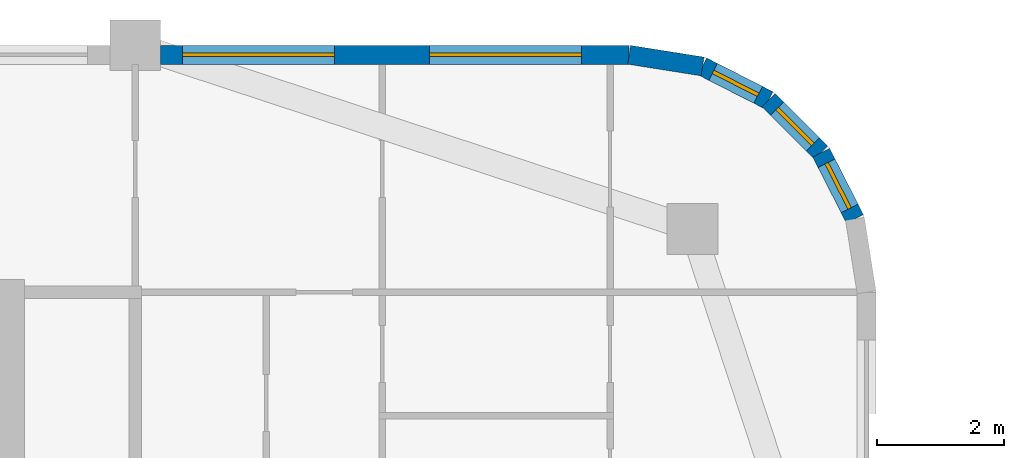
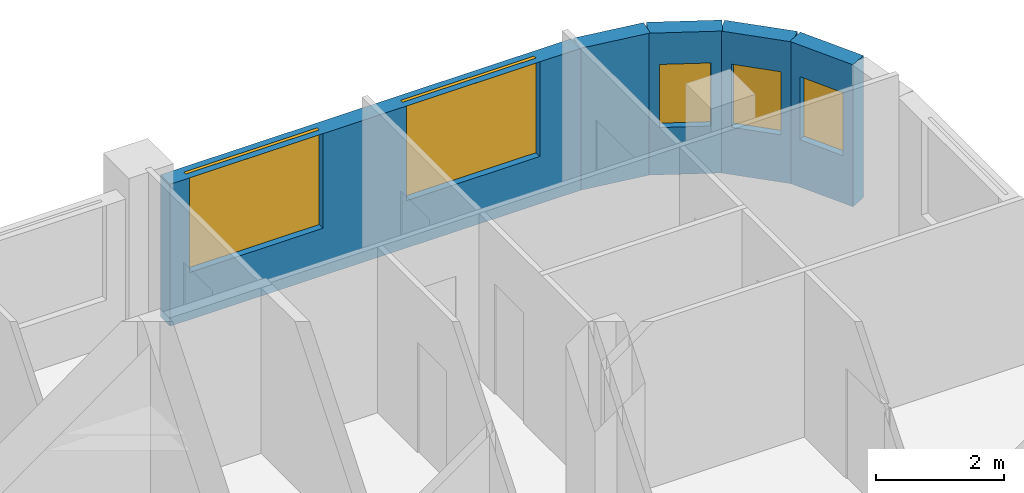
# One storey, part 12 of 16: 5 walls, 5 windows, 5 openings.
"""IFC4 building model written with IfcOpenShell, lengths in metres."""

from ifc_helpers import new_model, si_unit, direction, frame, frame_2d, origin, place, context, subcontext, project, spatial, rectangle, extrude, material, layer, layer_set, type_object, element, fill, save


model = new_model("IFC4")

# Units and contexts
model_context = context("Model", 3, precision=1e-05, world=origin(), true_north=direction((0.0, 1.0)))
body_context = subcontext(model_context, "Body", "Model", "MODEL_VIEW")
ifc_project = project(units=[si_unit("LENGTHUNIT", "METRE"), si_unit("AREAUNIT", "SQUARE_METRE"), si_unit("VOLUMEUNIT", "CUBIC_METRE"), si_unit("PLANEANGLEUNIT", "RADIAN"), si_unit("MASSUNIT", "GRAM", prefix="KILO")], contexts=[model_context])

# Site, building, storey
site_placement = place(None, origin())
site = spatial("IfcSite", under=ifc_project, at=site_placement, CompositionType="ELEMENT")
building_placement = place(site_placement, origin())
building = spatial("IfcBuilding", under=site, at=building_placement, Name="Ludao Terraces", CompositionType="ELEMENT")
storey_placement = place(building_placement, frame((0.0, 0.0, 204.10009765625)))
storey = spatial("IfcBuildingStorey", under=building, at=storey_placement, Name="L55", CompositionType="ELEMENT", Elevation=204.10009765625)

# Wall, openings, windows
ifc_material_1 = material(Name="Granite cladding", Category="masonry")
ifc_layer_1 = layer(ifc_material_1, 0.0400390625, Category="stone")
ifc_material_2 = material(Name="Mineral wool")
ifc_layer_2 = layer(ifc_material_2, 0.06005859375)
ifc_material_3 = material(Name="Concrete C40", Category="concrete")
ifc_layer_3 = layer(ifc_material_3, 0.199951171875, Category="concrete")
ifc_layer_set_1 = layer_set([ifc_layer_1, ifc_layer_2, ifc_layer_3], Name="ENV Stone-clad wall 300")
wall_type = type_object("IfcWallType", Name="ENV Stone-clad wall 300", PredefinedType="SOLIDWALL", material=ifc_layer_set_1)
wall_1_placement = place(storey_placement, frame((97.10009765625, 88.25, 0.0), z_axis=(0.0, 0.0, 1.0), x_axis=(1.0, 0.0, 0.0)))
wall_1 = element("IfcWall", 1, at=wall_1_placement, inside=storey, type_object=wall_type, Name="EW-L55-N3", PredefinedType="SOLIDWALL", context=body_context, shape_type="SweptSolid", body=[
    extrude(rectangle(XDim=7.39990234375, YDim=0.300048828125, at=frame_2d((3.699951171875, 0.0))), origin(), (0.0, 0.0, 1.0), 2.699951171875),
])
opening_1_placement = place(wall_1_placement, frame((0.35009765625, 0.0, 0.89990234375)))
opening_1 = element("IfcOpeningElement", 2, at=opening_1_placement, cuts=wall_1, Name="Opening W1", PredefinedType="OPENING", context=body_context, shape_type="SweptSolid", body=[
    extrude(rectangle(XDim=2.39990234375, YDim=1.800048828125, at=frame_2d((1.199951171875, 0.89990234375))), frame((0.0, 0.16015625, 0.0), z_axis=(0.0, -1.0, 0.0), x_axis=(1.0, 0.0, 0.0)), (0.0, 0.0, 1.0), 0.320068359375),
])
opening_2_placement = place(wall_1_placement, frame((4.25, 0.0, 0.89990234375)))
opening_2 = element("IfcOpeningElement", 3, at=opening_2_placement, cuts=wall_1, Name="Opening W1", PredefinedType="OPENING", context=body_context, shape_type="SweptSolid", body=[
    extrude(rectangle(XDim=2.39990234375, YDim=1.800048828125, at=frame_2d((1.199951171875, 0.89990234375))), frame((0.0, 0.16015625, 0.0), z_axis=(0.0, -1.0, 0.0), x_axis=(1.0, 0.0, 0.0)), (0.0, 0.0, 1.0), 0.320068359375),
])
ifc_material_4 = material(Name="Clear glass in aluminium frame", Category="aluminium")
ifc_layer_4 = layer(ifc_material_4, 0.06005859375)
ifc_layer_set_2 = layer_set([ifc_layer_4], Name="ENV Window W1 2400x1800")
window_type_1 = type_object("IfcWindowType", Name="ENV Window W1 2400x1800", PartitioningType="DOUBLE_PANEL_VERTICAL", PredefinedType="WINDOW", material=ifc_layer_set_2)
window_1_placement = place(opening_1_placement, origin())
window_1 = element("IfcWindow", 4, at=window_1_placement, inside=storey, type_object=window_type_1, Name="W-L55-N3-1", OverallHeight=1.800048828125, OverallWidth=2.39990234375, PartitioningType="DOUBLE_PANEL_VERTICAL", PredefinedType="WINDOW", context=body_context, shape_type="SweptSolid", body=[
    extrude(rectangle(XDim=2.39990234375, YDim=1.800048828125, at=frame_2d((1.199951171875, 0.89990234375))), frame((0.0, 0.030029296875, 0.0), z_axis=(0.0, -1.0, 0.0), x_axis=(1.0, 0.0, 0.0)), (0.0, 0.0, 1.0), 0.06005859375),
])
fill(opening_1, window_1)
window_2_placement = place(opening_2_placement, origin())
window_2 = element("IfcWindow", 5, at=window_2_placement, inside=storey, type_object=window_type_1, Name="W-L55-N3-2", OverallHeight=1.800048828125, OverallWidth=2.39990234375, PartitioningType="DOUBLE_PANEL_VERTICAL", PredefinedType="WINDOW", context=body_context, shape_type="SweptSolid", body=[
    extrude(rectangle(XDim=2.39990234375, YDim=1.800048828125, at=frame_2d((1.199951171875, 0.89990234375))), frame((0.0, 0.030029296875, 0.0), z_axis=(0.0, -1.0, 0.0), x_axis=(1.0, 0.0, 0.0)), (0.0, 0.0, 1.0), 0.06005859375),
])
fill(opening_2, window_2)

# Wall, opening, window
wall_2_placement = place(storey_placement, frame((108.06640625, 85.65869140625, 0.0), z_axis=(0.0, 0.0, 1.0), x_axis=(-0.454025524128, 0.890988677504, 0.0)))
wall_2 = element("IfcWall", 6, at=wall_2_placement, inside=storey, type_object=wall_type, Name="EW-L55-NE2", PredefinedType="SOLIDWALL", context=body_context, shape_type="SweptSolid", body=[
    extrude(rectangle(XDim=1.17333984375, YDim=0.300048828125, at=frame_2d((0.586669921875, 0.0))), origin(), (0.0, 0.0, 1.0), 2.699951171875),
])
opening_3_placement = place(wall_2_placement, frame((0.1865234375, 0.0, 0.89990234375)))
opening_3 = element("IfcOpeningElement", 7, at=opening_3_placement, cuts=wall_2, Name="Opening W3", PredefinedType="OPENING", context=body_context, shape_type="SweptSolid", body=[
    extrude(rectangle(XDim=0.800048828125, YDim=1.199951171875, at=frame_2d((0.39990234375, 0.60009765625))), frame((0.0, 0.16015625, 0.0), z_axis=(0.0, -1.0, 0.0), x_axis=(1.0, 0.0, 0.0)), (0.0, 0.0, 1.0), 0.320068359375),
])
ifc_layer_5 = layer(ifc_material_4, 0.06005859375)
ifc_layer_set_3 = layer_set([ifc_layer_5], Name="ENV Window W3 800x1200")
window_type_2 = type_object("IfcWindowType", Name="ENV Window W3 800x1200", PartitioningType="SINGLE_PANEL", PredefinedType="WINDOW", material=ifc_layer_set_3)
window_3_placement = place(opening_3_placement, origin())
window_3 = element("IfcWindow", 8, at=window_3_placement, inside=storey, type_object=window_type_2, Name="W-L55-NE2", OverallHeight=1.199951171875, OverallWidth=0.800048828125, PartitioningType="SINGLE_PANEL", PredefinedType="WINDOW", context=body_context, shape_type="SweptSolid", body=[
    extrude(rectangle(XDim=0.800048828125, YDim=1.199951171875, at=frame_2d((0.39990234375, 0.60009765625))), frame((0.0, 0.030029296875, 0.0), z_axis=(0.0, -1.0, 0.0), x_axis=(1.0, 0.0, 0.0)), (0.0, 0.0, 1.0), 0.06005859375),
])
fill(opening_3, window_3)

wall_3_placement = place(storey_placement, frame((107.53369140625, 86.7041015625, 0.0), z_axis=(0.0, 0.0, 1.0), x_axis=(-0.707106781187, 0.707106781187, 0.0)))
wall_3 = element("IfcWall", 9, at=wall_3_placement, inside=storey, type_object=wall_type, Name="EW-L55-NE3", PredefinedType="SOLIDWALL", context=body_context, shape_type="SweptSolid", body=[
    extrude(rectangle(XDim=1.173095703125, YDim=0.300048828125, at=frame_2d((0.58642578125, 0.0))), origin(), (0.0, 0.0, 1.0), 2.699951171875),
])
opening_4_placement = place(wall_3_placement, frame((0.1865234375, 0.0, 0.89990234375)))
opening_4 = element("IfcOpeningElement", 10, at=opening_4_placement, cuts=wall_3, Name="Opening W3", PredefinedType="OPENING", context=body_context, shape_type="SweptSolid", body=[
    extrude(rectangle(XDim=0.800048828125, YDim=1.199951171875, at=frame_2d((0.39990234375, 0.60009765625))), frame((0.0, 0.16015625, 0.0), z_axis=(0.0, -1.0, 0.0), x_axis=(1.0, 0.0, 0.0)), (0.0, 0.0, 1.0), 0.320068359375),
])
window_4_placement = place(opening_4_placement, origin())
window_4 = element("IfcWindow", 11, at=window_4_placement, inside=storey, type_object=window_type_2, Name="W-L55-NE3", OverallHeight=1.199951171875, OverallWidth=0.800048828125, PartitioningType="SINGLE_PANEL", PredefinedType="WINDOW", context=body_context, shape_type="SweptSolid", body=[
    extrude(rectangle(XDim=0.800048828125, YDim=1.199951171875, at=frame_2d((0.39990234375, 0.60009765625))), frame((0.0, 0.030029296875, 0.0), z_axis=(0.0, -1.0, 0.0), x_axis=(1.0, 0.0, 0.0)), (0.0, 0.0, 1.0), 0.06005859375),
])
fill(opening_4, window_4)

wall_4_placement = place(storey_placement, frame((106.7041015625, 87.53369140625, 0.0), z_axis=(0.0, 0.0, 1.0), x_axis=(-0.890988677504, 0.454025524128, 0.0)))
wall_4 = element("IfcWall", 12, at=wall_4_placement, inside=storey, type_object=wall_type, Name="EW-L55-NE4", PredefinedType="SOLIDWALL", context=body_context, shape_type="SweptSolid", body=[
    extrude(rectangle(XDim=1.17333984375, YDim=0.300048828125, at=frame_2d((0.586669921875, 0.0))), origin(), (0.0, 0.0, 1.0), 2.699951171875),
])
opening_5_placement = place(wall_4_placement, frame((0.1865234375, 0.0, 0.89990234375)))
opening_5 = element("IfcOpeningElement", 13, at=opening_5_placement, cuts=wall_4, Name="Opening W3", PredefinedType="OPENING", context=body_context, shape_type="SweptSolid", body=[
    extrude(rectangle(XDim=0.800048828125, YDim=1.199951171875, at=frame_2d((0.39990234375, 0.60009765625))), frame((0.0, 0.16015625, 0.0), z_axis=(0.0, -1.0, 0.0), x_axis=(1.0, 0.0, 0.0)), (0.0, 0.0, 1.0), 0.320068359375),
])
window_5_placement = place(opening_5_placement, origin())
window_5 = element("IfcWindow", 14, at=window_5_placement, inside=storey, type_object=window_type_2, Name="W-L55-NE4", OverallHeight=1.199951171875, OverallWidth=0.800048828125, PartitioningType="SINGLE_PANEL", PredefinedType="WINDOW", context=body_context, shape_type="SweptSolid", body=[
    extrude(rectangle(XDim=0.800048828125, YDim=1.199951171875, at=frame_2d((0.39990234375, 0.60009765625))), frame((0.0, 0.030029296875, 0.0), z_axis=(0.0, -1.0, 0.0), x_axis=(1.0, 0.0, 0.0)), (0.0, 0.0, 1.0), 0.06005859375),
])
fill(opening_5, window_5)

# Wall
wall_5_placement = place(storey_placement, frame((105.65869140625, 88.06640625, 0.0), z_axis=(0.0, 0.0, 1.0), x_axis=(-0.987678452879, 0.156496880861, 0.0)))
element("IfcWall", 15, at=wall_5_placement, inside=storey, type_object=wall_type, Name="EW-L55-NE5", PredefinedType="SOLIDWALL", context=body_context, shape_type="SweptSolid", body=[
    extrude(rectangle(XDim=1.173095703125, YDim=0.300048828125, at=frame_2d((0.58642578125, 0.0))), origin(), (0.0, 0.0, 1.0), 2.699951171875),
])

save(model, "model.ifc")
